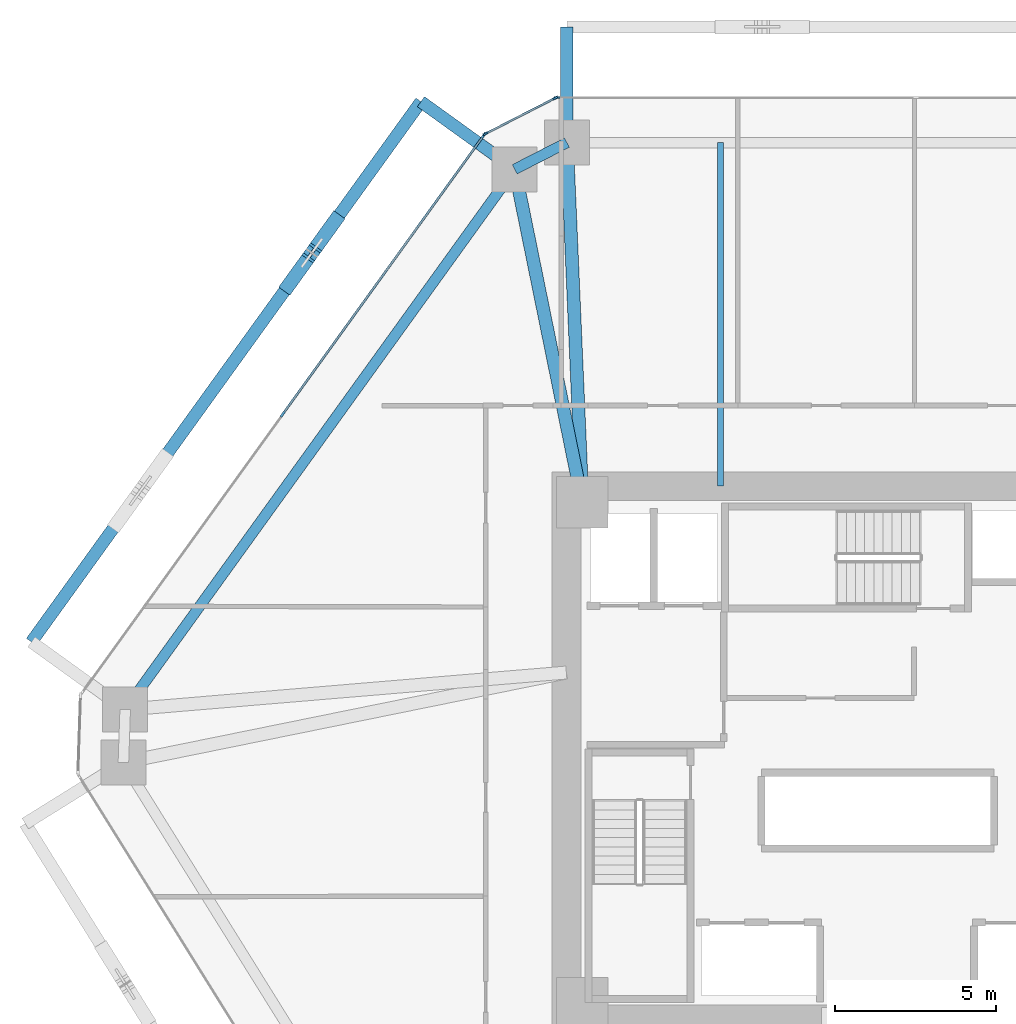
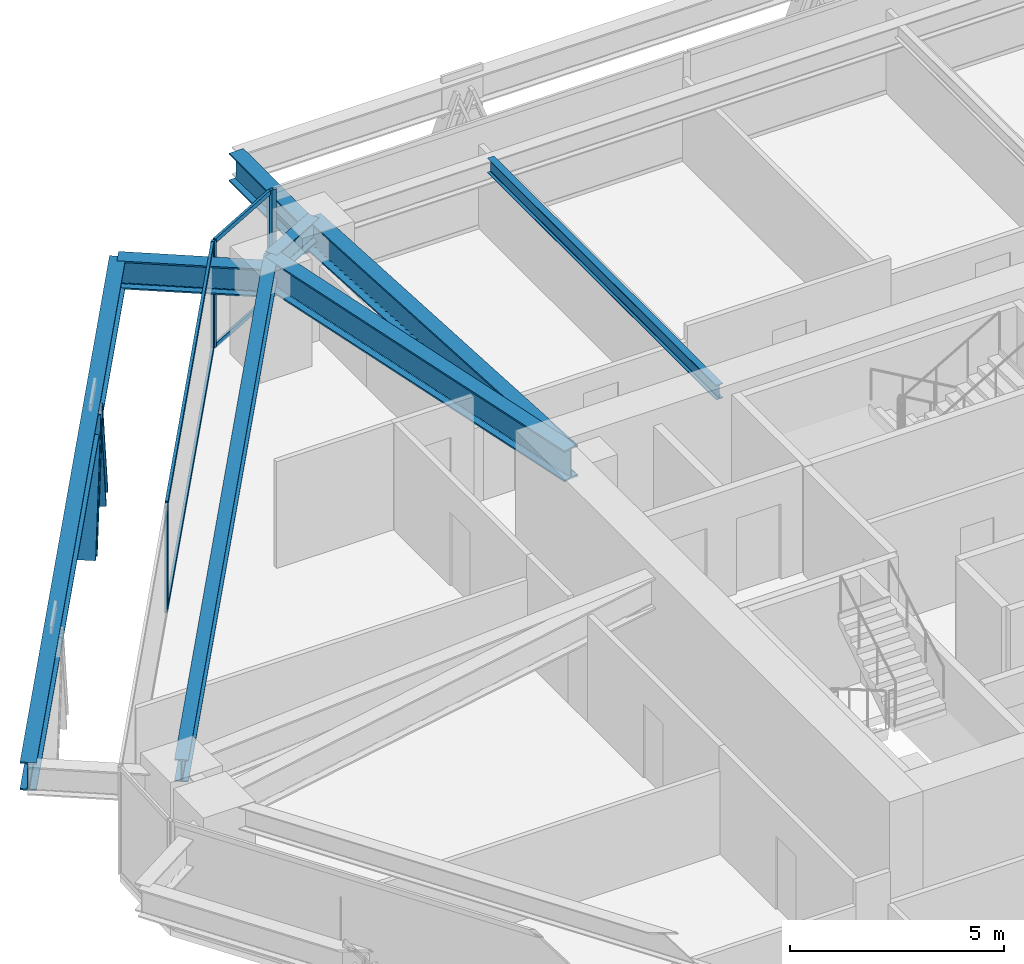
# One storey, part 7 of 17: 11 members, 8 beams, 3 elements without a shape of their own.
"""IFC4 building model written with IfcOpenShell, lengths in metres."""

from ifc_helpers import new_model, si_unit, direction, frame, origin, origin_2d, place, context, subcontext, project, spatial, rectangle, i_section, extrude, source, transform, mapped, material, layer, layer_set, material_profile, profile_set, type_object, type_shapes, element, aggregate, save


model = new_model("IFC4")

# Units and contexts
model_context = context("Model", 3, precision=1e-05, world=origin(), true_north=direction((0.0, 1.0)))
body_context = subcontext(model_context, "Body", "Model", "MODEL_VIEW")
ifc_project = project(units=[si_unit("LENGTHUNIT", "METRE"), si_unit("AREAUNIT", "SQUARE_METRE"), si_unit("VOLUMEUNIT", "CUBIC_METRE"), si_unit("PLANEANGLEUNIT", "RADIAN"), si_unit("MASSUNIT", "GRAM", prefix="KILO")], contexts=[model_context])

# Site, building, storey
site_placement = place(None, origin())
site = spatial("IfcSite", under=ifc_project, at=site_placement, CompositionType="ELEMENT")
building_placement = place(site_placement, origin())
building = spatial("IfcBuilding", under=site, at=building_placement, Name="Durnholm Broadcast Tower", CompositionType="ELEMENT")
storey_placement = place(building_placement, frame((0.0, 0.0, 72.0)))
storey = spatial("IfcBuildingStorey", under=building, at=storey_placement, Name="L18", CompositionType="ELEMENT", Elevation=72.0)

# Beams
ifc_material_1 = material(Name="Steel ASTM A992 Grade 50", Category="steel")
ifc_material_profile_1 = material_profile(ifc_material_1, i_section(OverallWidth=0.3291015625, OverallDepth=0.635009765625, WebThickness=0.017822265625, FlangeThickness=0.031005859375, FilletRadius=0.02783203125, at=origin_2d()), Name="W24X162")
ifc_profile_set_1 = profile_set([ifc_material_profile_1], Name="Steel ASTM A992 Grade 50")
beam_type_1 = type_object("IfcBeamType", Name="STL-SP-W24X162", PredefinedType="SPANDREL", material=ifc_profile_set_1)
shared_shape_1 = source(origin(), body_context, "Body", "SweptSolid", [
    extrude(i_section(OverallWidth=0.3291015625, OverallDepth=0.635009765625, WebThickness=0.017822265625, FlangeThickness=0.031005859375, FilletRadius=0.02783203125, at=origin_2d()), origin(), (0.0, 0.0, 1.0), 20.737060546875),
])
beam_1_placement = place(storey_placement, frame((-24.034912109375, 1.347412109375, 2.7275390625), z_axis=(0.584821933191, 0.811161701795, 0.0), x_axis=(-0.811161701795, 0.584821933191, 0.0)))
element("IfcBeam", 1, at=beam_1_placement, inside=storey, type_object=beam_type_1, Name="L18 perimeter spandrel girder 03", PredefinedType="SPANDREL", context=body_context, shape_type="MappedRepresentation", body=[
    mapped(shared_shape_1, transform((0.0, 0.0, 0.0), x_axis=(1.0, 0.0, 0.0), y_axis=(0.0, 1.0, 0.0), z_axis=(0.0, 0.0, 1.0), scale=1.0)),
])
shared_shape_2 = source(origin(), body_context, "Body", "SweptSolid", [
    extrude(i_section(OverallWidth=0.3291015625, OverallDepth=0.635009765625, WebThickness=0.017822265625, FlangeThickness=0.031005859375, FilletRadius=0.02783203125, at=origin_2d()), origin(), (0.0, 0.0, 1.0), 1.8251953125),
])
type_shapes(beam_type_1, [shared_shape_1, shared_shape_2])
beam_2_placement = place(storey_placement, frame((-11.907470703125, 18.16845703125, 2.7275390625), z_axis=(0.890187609501, 0.455594139438, 0.0), x_axis=(-0.455594139438, 0.890187609501, 0.0)))
element("IfcBeam", 2, at=beam_2_placement, inside=storey, type_object=beam_type_1, Name="L18 perimeter spandrel girder 04", PredefinedType="SPANDREL", context=body_context, shape_type="MappedRepresentation", body=[
    mapped(shared_shape_2, transform((0.0, 0.0, 0.0), x_axis=(1.0, 0.0, 0.0), y_axis=(0.0, 1.0, 0.0), z_axis=(0.0, 0.0, 1.0), scale=1.0)),
])
ifc_material_profile_2 = material_profile(ifc_material_1, i_section(OverallWidth=0.404052734375, OverallDepth=0.885009765625, WebThickness=0.0244140625, FlangeThickness=0.0439453125, FilletRadius=0.03564453125, at=origin_2d()), Name="W33X291")
ifc_profile_set_2 = profile_set([ifc_material_profile_2], Name="Steel ASTM A992 Grade 50")
beam_type_2 = type_object("IfcBeamType", Name="STL-GR-W33X291", PredefinedType="USERDEFINED", material=ifc_profile_set_2)
shared_shape_3 = source(origin(), body_context, "Body", "SweptSolid", [
    extrude(i_section(OverallWidth=0.404052734375, OverallDepth=0.885009765625, WebThickness=0.0244140625, FlangeThickness=0.0439453125, FilletRadius=0.03564453125, at=origin_2d()), origin(), (0.0, 0.0, 1.0), 10.580322265625),
])
beam_3_placement = place(storey_placement, frame((-9.800048828125, 7.800048828125, 2.6025390625), z_axis=(-0.199181458925, 0.979962625012, 0.0), x_axis=(-0.979962625012, -0.199181458925, 0.0)))
element("IfcBeam", 3, at=beam_3_placement, inside=storey, type_object=beam_type_2, Name="L18 radial primary floor girder 04", ObjectType="GIRDER", PredefinedType="USERDEFINED", context=body_context, shape_type="MappedRepresentation", body=[
    mapped(shared_shape_3, transform((0.0, 0.0, 0.0), x_axis=(1.0, 0.0, 0.0), y_axis=(0.0, 1.0, 0.0), z_axis=(0.0, 0.0, 1.0), scale=1.0)),
])
shared_shape_4 = source(origin(), body_context, "Body", "SweptSolid", [
    extrude(i_section(OverallWidth=0.404052734375, OverallDepth=0.885009765625, WebThickness=0.0244140625, FlangeThickness=0.0439453125, FilletRadius=0.03564453125, at=origin_2d()), origin(), (0.0, 0.0, 1.0), 11.21044921875),
])
type_shapes(beam_type_2, [shared_shape_3, shared_shape_4])
beam_4_placement = place(storey_placement, frame((-9.800048828125, 7.800048828125, 2.6025390625), z_axis=(-0.043055404914, 0.999072686098, 0.0), x_axis=(-0.999072686098, -0.043055404914, 0.0)))
element("IfcBeam", 4, at=beam_4_placement, inside=storey, type_object=beam_type_2, Name="L18 radial primary floor girder 05", ObjectType="GIRDER", PredefinedType="USERDEFINED", context=body_context, shape_type="MappedRepresentation", body=[
    mapped(shared_shape_4, transform((0.0, 0.0, 0.0), x_axis=(1.0, 0.0, 0.0), y_axis=(0.0, 1.0, 0.0), z_axis=(0.0, 0.0, 1.0), scale=1.0)),
])
ifc_material_profile_3 = material_profile(ifc_material_1, i_section(OverallWidth=0.180908203125, OverallDepth=0.417236328125, WebThickness=0.010986328125, FlangeThickness=0.018310546875, FilletRadius=0.01904296875, at=origin_2d()), Name="W16X57")
ifc_profile_set_3 = profile_set([ifc_material_profile_3], Name="Steel ASTM A992 Grade 50")
beam_type_3 = type_object("IfcBeamType", Name="STL-BJ-W16X57", PredefinedType="JOIST", material=ifc_profile_set_3)
shared_shape_5 = source(origin(), body_context, "Body", "SweptSolid", [
    extrude(i_section(OverallWidth=0.180908203125, OverallDepth=0.417236328125, WebThickness=0.010986328125, FlangeThickness=0.018310546875, FilletRadius=0.01904296875, at=origin_2d()), origin(), (0.0, 0.0, 1.0), 10.699951171875),
])
type_shapes(beam_type_3, [shared_shape_5])
beam_5_placement = place(storey_placement, frame((-5.5, 8.300048828125, 2.836181640625), z_axis=(0.0, 1.0, 0.0), x_axis=(-1.0, 0.0, 0.0)))
element("IfcBeam", 5, at=beam_5_placement, inside=storey, type_object=beam_type_3, Name="L18 secondary floor joist 3.2", PredefinedType="JOIST", context=body_context, shape_type="MappedRepresentation", body=[
    mapped(shared_shape_5, transform((0.0, 0.0, 0.0), x_axis=(1.0, 0.0, 0.0), y_axis=(0.0, 1.0, 0.0), z_axis=(0.0, 0.0, 1.0), scale=1.0)),
])
ifc_material_profile_4 = material_profile(ifc_material_1, i_section(OverallWidth=0.385009765625, OverallDepth=0.802978515625, WebThickness=0.023681640625, FlangeThickness=0.0419921875, FilletRadius=0.032958984375, at=origin_2d()), Name="W30X261")
ifc_profile_set_4 = profile_set([ifc_material_profile_4], Name="Steel ASTM A992 Grade 50")
beam_type_4 = type_object("IfcBeamType", Name="BM-EXO-TIE", PredefinedType="USERDEFINED", material=ifc_profile_set_4)
shared_shape_6 = source(origin(), body_context, "Body", "SweptSolid", [
    extrude(i_section(OverallWidth=0.385009765625, OverallDepth=0.802978515625, WebThickness=0.023681640625, FlangeThickness=0.0419921875, FilletRadius=0.032958984375, at=origin_2d()), origin(), (0.0, 0.0, 1.0), 3.4560546875),
])
for number, where, z_axis, x_axis, name in (
    (6, (-10.28271484375, 19.14404296875, 2.30859375), (0.0, 1.0, 0.0), (-1.0, 0.0, 0.0), "L18 exoskeleton stand-off tie bracket F4.2"),
    (7, (-12.024169921875, 18.252685546875, 2.30859375), (-0.811157675106, 0.584827518262, 0.0), (-0.584827518262, -0.811157675106, 0.0), "L18 exoskeleton stand-off tie bracket F5.1"),
):
    element("IfcBeam", number, at=place(storey_placement, frame(where, z_axis=z_axis, x_axis=x_axis)), inside=storey, type_object=beam_type_4, Name=name, ObjectType="GIRDER", PredefinedType="USERDEFINED", context=body_context, shape_type="MappedRepresentation", body=[
        mapped(shared_shape_6, transform((0.0, 0.0, 0.0), x_axis=(1.0, 0.0, 0.0), y_axis=(0.0, 1.0, 0.0), z_axis=(0.0, 0.0, 1.0), scale=1.0)),
    ])
shared_shape_7 = source(origin(), body_context, "Body", "SweptSolid", [
    extrude(i_section(OverallWidth=0.385009765625, OverallDepth=0.802978515625, WebThickness=0.023681640625, FlangeThickness=0.0419921875, FilletRadius=0.032958984375, at=origin_2d()), origin(), (0.0, 0.0, 1.0), 20.737060546875),
])
type_shapes(beam_type_4, [shared_shape_6, shared_shape_7])
beam_6_placement = place(storey_placement, frame((-14.82763671875, 20.27392578125, 2.30859375), z_axis=(-0.5848163482, -0.811165728368, 0.0), x_axis=(0.811165728368, -0.5848163482, 0.0)))
element("IfcBeam", 8, at=beam_6_placement, inside=storey, type_object=beam_type_4, Name="L18 exoskeleton collector spandrel F5", PredefinedType="SPANDREL", context=body_context, shape_type="MappedRepresentation", body=[
    mapped(shared_shape_7, transform((0.0, 0.0, 0.0), x_axis=(1.0, 0.0, 0.0), y_axis=(0.0, 1.0, 0.0), z_axis=(0.0, 0.0, 1.0), scale=1.0)),
])

# Members
ifc_material_2 = material(Name="Steel ASTM A913 Grade 65", Category="steel")
ifc_material_profile_5 = material_profile(ifc_material_2, i_section(OverallWidth=0.43212890625, OverallDepth=0.497802734375, WebThickness=0.0556640625, FlangeThickness=0.0888671875, FilletRadius=0.030517578125, at=origin_2d()), Name="W14X500")
ifc_profile_set_5 = profile_set([ifc_material_profile_5], Name="Steel ASTM A913 Grade 65")
member_type_1 = type_object("IfcMemberType", Name="STL-DG-W14X500", PredefinedType="BRACE", material=ifc_profile_set_5)
shared_shape_8 = source(origin(), body_context, "Body", "SweptSolid", [
    extrude(i_section(OverallWidth=0.43212890625, OverallDepth=0.497802734375, WebThickness=0.0556640625, FlangeThickness=0.0888671875, FilletRadius=0.030517578125, at=origin_2d()), origin(), (0.0, 0.0, 1.0), 3.523193359375),
])
type_shapes(member_type_1, [shared_shape_8])
for number, where, z_axis, x_axis, name in (
    (9, (-17.501708984375, 16.564697265625, -0.991455078125), (-0.204839138341, -0.284044529113, 0.93667477434), (0.81109123444, -0.58491966065, 0.0), "L18 stand-off diagrid brace F5.D1.1"),
    (10, (-18.94482421875, 14.563232421875, -0.991455078125), (0.20477274847, 0.284048560399, 0.936688068046), (-0.811185111535, 0.584789461963, 0.0), "L18 stand-off diagrid brace F5.D1.2"),
):
    element("IfcMember", number, at=place(storey_placement, frame(where, z_axis=z_axis, x_axis=x_axis)), inside=storey, type_object=member_type_1, Name=name, PredefinedType="BRACE", context=body_context, shape_type="MappedRepresentation", body=[
        mapped(shared_shape_8, transform((0.0, 0.0, 0.0), x_axis=(1.0, 0.0, 0.0), y_axis=(0.0, 1.0, 0.0), z_axis=(0.0, 0.0, 1.0), scale=1.0)),
    ])

# Curtain wall, members
ifc_material_3 = material(Name="Aluminium and Solar Control IGU", Category="aluminium")
ifc_layer_1 = layer(ifc_material_3, 0.1650390625)
ifc_layer_set_1 = layer_set([ifc_layer_1], Name="Aluminium and Solar Control IGU")
curtain_wall_type_1 = type_object("IfcCurtainWallType", Name="CW-SYS-5", PredefinedType="NOTDEFINED", material=ifc_layer_set_1)
curtain_wall_1_placement = place(storey_placement, origin())
curtain_wall_1 = element("IfcCurtainWall", 11, at=curtain_wall_1_placement, inside=storey, type_object=curtain_wall_type_1, Name="L18 curtain wall CW-CORNER CW-L18-CRN-03", PredefinedType="NOTDEFINED")
ifc_material_4 = material(Name="Aluminium 6063-T6", Category="aluminium")
ifc_material_profile_6 = material_profile(ifc_material_4, rectangle(XDim=0.06494140625, YDim=0.1650390625, at=origin_2d()), Name="CWM65X165")
ifc_profile_set_6 = profile_set([ifc_material_profile_6], Name="Aluminium 6063-T6")
member_type_2 = type_object("IfcMemberType", Name="CW-SYS-5-MUL", PredefinedType="MULLION", material=ifc_profile_set_6)
shared_shape_9 = source(origin(), body_context, "Body", "SweptSolid", [
    extrude(rectangle(XDim=0.06494140625, YDim=0.1650390625, at=origin_2d()), origin(), (0.0, 0.0, 1.0), 3.06005859375),
])
type_shapes(member_type_2, [shared_shape_9])
member_1_placement = place(storey_placement, frame((-12.816650390625, 19.27587890625, 0.0), z_axis=(0.0, 0.0, 1.0), x_axis=(-0.455593758406, 0.890187804512, 0.0)))
member_1 = element("IfcMember", 12, at=member_1_placement, type_object=member_type_2, Name="CW-CORNER mullion 1", PredefinedType="MULLION", context=body_context, shape_type="MappedRepresentation", body=[
    mapped(shared_shape_9, transform((0.0, 0.0, 0.0), x_axis=(1.0, 0.0, 0.0), y_axis=(0.0, 1.0, 0.0), z_axis=(0.0, 0.0, 1.0), scale=1.0)),
])
member_2_placement = place(storey_placement, frame((-10.649169921875, 20.38525390625, 0.0), z_axis=(0.0, 0.0, 1.0), x_axis=(-0.455593758406, 0.890187804512, 0.0)))
member_2 = element("IfcMember", 13, at=member_2_placement, type_object=member_type_2, Name="CW-CORNER mullion 2", PredefinedType="MULLION", context=body_context, shape_type="MappedRepresentation", body=[
    mapped(shared_shape_9, transform((0.0, 0.0, 0.0), x_axis=(1.0, 0.0, 0.0), y_axis=(0.0, 1.0, 0.0), z_axis=(0.0, 0.0, 1.0), scale=1.0)),
])
ifc_material_profile_7 = material_profile(ifc_material_4, rectangle(XDim=0.06494140625, YDim=0.1298828125, at=origin_2d()), Name="CWT65X130")
ifc_profile_set_7 = profile_set([ifc_material_profile_7], Name="Aluminium 6063-T6")
member_type_3 = type_object("IfcMemberType", Name="CW-SYS-5-TRN", PredefinedType="USERDEFINED", material=ifc_profile_set_7)
shared_shape_10 = source(origin(), body_context, "Body", "SweptSolid", [
    extrude(rectangle(XDim=0.06494140625, YDim=0.1298828125, at=origin_2d()), origin(), (0.0, 0.0, 1.0), 2.3701171875),
])
type_shapes(member_type_3, [shared_shape_10])
member_3_placement = place(storey_placement, frame((-12.787841796875, 19.29052734375, 0.032470703125), z_axis=(0.890185016934, 0.455599205033, 0.0), x_axis=(-0.455599205033, 0.890185016934, 0.0)))
member_3 = element("IfcMember", 14, at=member_3_placement, type_object=member_type_3, Name="CW-CORNER transom 1.1", ObjectType="TRANSOM", PredefinedType="USERDEFINED", context=body_context, shape_type="MappedRepresentation", body=[
    mapped(shared_shape_10, transform((0.0, 0.0, 0.0), x_axis=(1.0, 0.0, 0.0), y_axis=(0.0, 1.0, 0.0), z_axis=(0.0, 0.0, 1.0), scale=1.0)),
])
member_4_placement = place(storey_placement, frame((-12.787841796875, 19.29052734375, 3.027587890625), z_axis=(0.890185016934, 0.455599205033, 0.0), x_axis=(-0.455599205033, 0.890185016934, 0.0)))
member_4 = element("IfcMember", 15, at=member_4_placement, type_object=member_type_3, Name="CW-CORNER transom 1.2", ObjectType="TRANSOM", PredefinedType="USERDEFINED", context=body_context, shape_type="MappedRepresentation", body=[
    mapped(shared_shape_10, transform((0.0, 0.0, 0.0), x_axis=(1.0, 0.0, 0.0), y_axis=(0.0, 1.0, 0.0), z_axis=(0.0, 0.0, 1.0), scale=1.0)),
])
aggregate(curtain_wall_1, [member_1, member_2, member_3, member_4])

ifc_layer_2 = layer(ifc_material_3, 0.18994140625)
ifc_layer_set_2 = layer_set([ifc_layer_2], Name="Aluminium and Solar Control IGU")
curtain_wall_type_2 = type_object("IfcCurtainWallType", Name="CW-SYS-3", PredefinedType="NOTDEFINED", material=ifc_layer_set_2)
curtain_wall_2_placement = place(storey_placement, origin())
curtain_wall_2 = element("IfcCurtainWall", 16, at=curtain_wall_2_placement, inside=storey, type_object=curtain_wall_type_2, Name="L18 curtain wall CW-Z12-VIS CW-L18-F02", PredefinedType="NOTDEFINED")
ifc_material_profile_8 = material_profile(ifc_material_4, rectangle(XDim=0.070068359375, YDim=0.18994140625, at=origin_2d()), Name="CWM70X190")
ifc_profile_set_8 = profile_set([ifc_material_profile_8], Name="Aluminium 6063-T6")
member_type_4 = type_object("IfcMemberType", Name="CW-SYS-3-MUL", PredefinedType="MULLION", material=ifc_profile_set_8)
shared_shape_11 = source(origin(), body_context, "Body", "SweptSolid", [
    extrude(rectangle(XDim=0.070068359375, YDim=0.18994140625, at=origin_2d()), origin(), (0.0, 0.0, 1.0), 3.06005859375),
])
type_shapes(member_type_4, [shared_shape_11])
member_5_placement = place(storey_placement, frame((-19.1328125, 10.540771484375, 0.0), z_axis=(0.0, 0.0, 1.0), x_axis=(-0.81116057493, 0.584823496176, 0.0)))
member_5 = element("IfcMember", 17, at=member_5_placement, type_object=member_type_4, Name="CW-Z12-VIS mullion 2", PredefinedType="MULLION", context=body_context, shape_type="MappedRepresentation", body=[
    mapped(shared_shape_11, transform((0.0, 0.0, 0.0), x_axis=(1.0, 0.0, 0.0), y_axis=(0.0, 1.0, 0.0), z_axis=(0.0, 0.0, 1.0), scale=1.0)),
])
member_6_placement = place(storey_placement, frame((-12.8662109375, 19.232666015625, 0.0), z_axis=(0.0, 0.0, 1.0), x_axis=(-0.81116057493, 0.584823496176, 0.0)))
member_6 = element("IfcMember", 18, at=member_6_placement, type_object=member_type_4, Name="CW-Z12-VIS mullion 3", PredefinedType="MULLION", context=body_context, shape_type="MappedRepresentation", body=[
    mapped(shared_shape_11, transform((0.0, 0.0, 0.0), x_axis=(1.0, 0.0, 0.0), y_axis=(0.0, 1.0, 0.0), z_axis=(0.0, 0.0, 1.0), scale=1.0)),
])

# Curtain wall, member
curtain_wall_3_placement = place(storey_placement, origin())
curtain_wall_3 = element("IfcCurtainWall", 19, at=curtain_wall_3_placement, inside=storey, type_object=curtain_wall_type_2, Name="L18 curtain wall CW-Z12-VIS CW-L18-F04", PredefinedType="NOTDEFINED")
member_7_placement = place(storey_placement, frame((-10.585205078125, 20.39990234375, 0.0), z_axis=(0.0, 0.0, 1.0), x_axis=(0.0, 1.0, 0.0)))
member_7 = element("IfcMember", 20, at=member_7_placement, type_object=member_type_4, Name="CW-Z12-VIS mullion 1", PredefinedType="MULLION", context=body_context, shape_type="MappedRepresentation", body=[
    mapped(shared_shape_11, transform((0.0, 0.0, 0.0), x_axis=(1.0, 0.0, 0.0), y_axis=(0.0, 1.0, 0.0), z_axis=(0.0, 0.0, 1.0), scale=1.0)),
])
aggregate(curtain_wall_3, [member_7])

# Member
ifc_material_profile_9 = material_profile(ifc_material_4, rectangle(XDim=0.070068359375, YDim=0.14990234375, at=origin_2d()), Name="CWT70X150")
ifc_profile_set_9 = profile_set([ifc_material_profile_9], Name="Aluminium 6063-T6")
member_type_5 = type_object("IfcMemberType", Name="CW-SYS-3-TRN", PredefinedType="USERDEFINED", material=ifc_profile_set_9)
shared_shape_12 = source(origin(), body_context, "Body", "SweptSolid", [
    extrude(rectangle(XDim=0.070068359375, YDim=0.14990234375, at=origin_2d()), origin(), (0.0, 0.0, 1.0), 10.645263671875),
])
type_shapes(member_type_5, [shared_shape_12])
member_8_placement = place(storey_placement, frame((-19.1123046875, 10.569091796875, 0.034912109375), z_axis=(0.584822983179, 0.811160944786, 0.0), x_axis=(-0.811160944786, 0.584822983179, 0.0)))
member_8 = element("IfcMember", 21, at=member_8_placement, type_object=member_type_5, Name="CW-Z12-VIS transom 2.1", ObjectType="TRANSOM", PredefinedType="USERDEFINED", context=body_context, shape_type="MappedRepresentation", body=[
    mapped(shared_shape_12, transform((0.0, 0.0, 0.0), x_axis=(1.0, 0.0, 0.0), y_axis=(0.0, 1.0, 0.0), z_axis=(0.0, 0.0, 1.0), scale=1.0)),
])

member_9_placement = place(storey_placement, frame((-19.1123046875, 10.569091796875, 3.02490234375), z_axis=(0.584822983179, 0.811160944786, 0.0), x_axis=(-0.811160944786, 0.584822983179, 0.0)))
member_9 = element("IfcMember", 22, at=member_9_placement, type_object=member_type_5, Name="CW-Z12-VIS transom 2.2", ObjectType="TRANSOM", PredefinedType="USERDEFINED", context=body_context, shape_type="MappedRepresentation", body=[
    mapped(shared_shape_12, transform((0.0, 0.0, 0.0), x_axis=(1.0, 0.0, 0.0), y_axis=(0.0, 1.0, 0.0), z_axis=(0.0, 0.0, 1.0), scale=1.0)),
])

aggregate(curtain_wall_2, [member_5, member_6, member_8, member_9])

save(model, "model.ifc")
